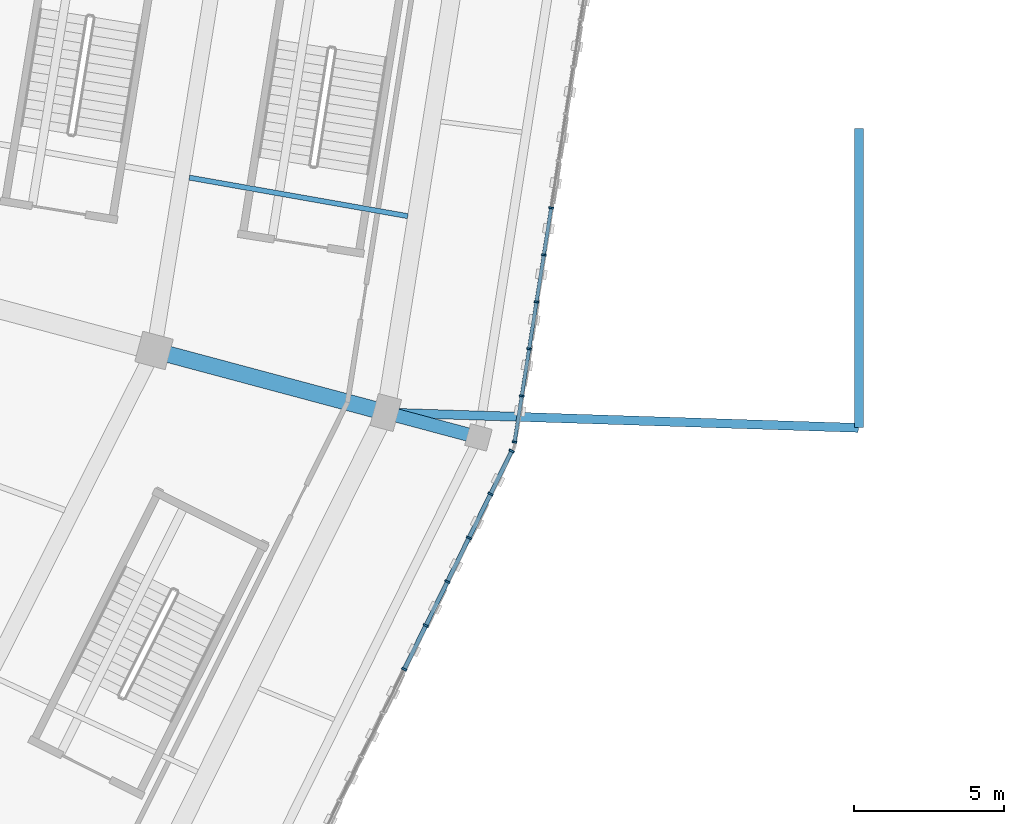
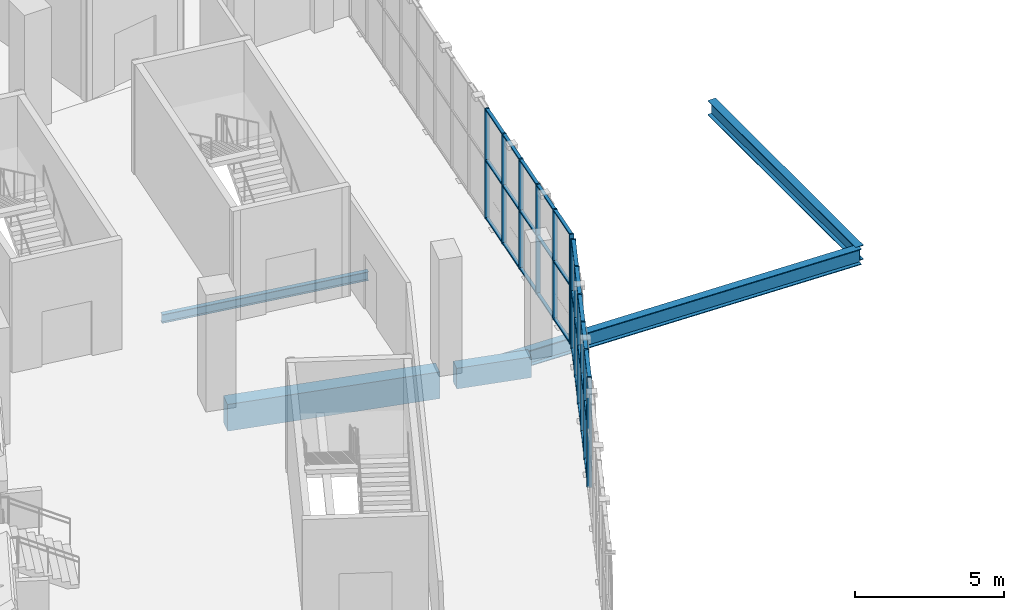
# One storey, part 39 of 183: 42 members, 5 beams, 2 elements without a shape of their own.
"""IFC4 building model written with IfcOpenShell, lengths in metres."""

import ifcopenshell
import ifcopenshell.guid

model = None  # the IFC model being written
_history = None  # IfcOwnerHistory: only IFC2X3 demands one
_inside = {}  # id of a spatial element -> (the spatial element, [elements in it])
_under = {}  # id of a project, library or spatial element -> (it, [spatial elements below it])
_declared = {}  # id of a project -> (the project, [libraries it declares])
_typed = {}  # id of a type object -> (the type object, [elements of that type])
_made_of = {}  # id of a material, layer set ... -> (it, [elements and type objects made of it])


def new_model(schema):
    """Start an empty IFC model of exactly this schema.

    Asked for "IFC4X3", IfcOpenShell would pick the latest addendum, in which some entities
    have other attributes; the version numbers below select the first issue.
    IFC2X3 requires an IfcOwnerHistory on every rooted entity: one is made here for all.
    """
    global model, _history
    if schema == "IFC4X3":
        model = ifcopenshell.file(schema_version=(4, 3, 0, 0))
    else:
        model = ifcopenshell.file(schema=schema)
    _inside.clear()
    _under.clear()
    _declared.clear()
    _typed.clear()
    _made_of.clear()
    _history = None
    if model.schema == "IFC2X3":
        org = make("IfcOrganization", Name="unknown")
        user = make(
            "IfcPersonAndOrganization",
            ThePerson=make("IfcPerson", FamilyName="unknown"),
            TheOrganization=org,
        )
        app = make(
            "IfcApplication",
            ApplicationDeveloper=org,
            Version="unknown",
            ApplicationFullName="unknown",
            ApplicationIdentifier="unknown",
        )
        _history = make(
            "IfcOwnerHistory",
            OwningUser=user,
            OwningApplication=app,
            ChangeAction="ADDED",
            CreationDate=0,
        )
    return model


def make(cls, **values):
    """One entity of the class cls with the attributes given. An attribute that is None is left unset."""
    return model.create_entity(
        cls, **{name: value for name, value in values.items() if value is not None}
    )


def rooted(cls, **values):
    """An entity with a GlobalId (a new one), such as an element, a storey or a relation."""
    return make(cls, GlobalId=ifcopenshell.guid.new(), OwnerHistory=_history, **values)


def si_unit(unit_type, name, prefix=None):
    """IfcSIUnit, for example si_unit("LENGTHUNIT", "METRE", prefix="MILLI")."""
    return make("IfcSIUnit", UnitType=unit_type, Prefix=prefix, Name=name)


def assignment(units):
    """IfcUnitAssignment: the units of a project."""
    return None if units is None else make("IfcUnitAssignment", Units=units)


def point(xyz):
    """IfcCartesianPoint."""
    return None if xyz is None else make("IfcCartesianPoint", Coordinates=xyz)


def direction(xyz):
    """IfcDirection."""
    return None if xyz is None else make("IfcDirection", DirectionRatios=xyz)


def frame(location, z_axis=None, x_axis=None):
    """IfcAxis2Placement3D, a coordinate frame: its origin and axes. An axis left out is left unset."""
    return make(
        "IfcAxis2Placement3D",
        Location=point(location),
        Axis=direction(z_axis),
        RefDirection=direction(x_axis),
    )


def frame_2d(location, x_axis=None):
    """IfcAxis2Placement2D, a coordinate frame in the plane: its origin and x axis."""
    return make(
        "IfcAxis2Placement2D", Location=point(location), RefDirection=direction(x_axis)
    )


def origin():
    """The frame at (0, 0, 0) with its axes left unset."""
    return frame((0.0, 0.0, 0.0))


def origin_2d():
    """The frame at (0, 0) in the plane with its x axis left unset."""
    return frame_2d((0.0, 0.0))


def place(relative_to, where):
    """IfcLocalPlacement: puts the frame where relative to a parent placement (None: the world)."""
    return make(
        "IfcLocalPlacement", PlacementRelTo=relative_to, RelativePlacement=where
    )


def context(
    kind, dimensions, precision=None, world=None, true_north=None, identifier=None
):
    """IfcGeometricRepresentationContext, for example the 3D "Model" context."""
    return make(
        "IfcGeometricRepresentationContext",
        ContextIdentifier=identifier,
        ContextType=kind,
        CoordinateSpaceDimension=dimensions,
        Precision=precision,
        WorldCoordinateSystem=world,
        TrueNorth=true_north,
    )


def subcontext(parent, identifier, kind, view, scale=None):
    """IfcGeometricRepresentationSubContext, for example "Body" below "Model"."""
    return make(
        "IfcGeometricRepresentationSubContext",
        ContextIdentifier=identifier,
        ContextType=kind,
        ParentContext=parent,
        TargetScale=scale,
        TargetView=view,
    )


def project(units=None, contexts=None):
    """IfcProject with its units and contexts."""
    return rooted(
        "IfcProject",
        Name="project",
        RepresentationContexts=contexts,
        UnitsInContext=assignment(units),
    )


def spatial(cls, under=None, at=None, **own):
    """A site, building, storey or space (cls), placed at a placement, below another one or the project."""
    s = rooted(cls, ObjectPlacement=at, **own)
    if under is not None:
        _under.setdefault(under.id(), (under, []))[1].append(s)
    return s


def profile(cls, at=None, kind="AREA", **sizes):
    """A parametric profile (cls). Its sizes go by their IFC names, for example OverallWidth=200.0."""
    return make(cls, ProfileType=kind, Position=at, **sizes)


def rectangle(**sizes):
    """IfcRectangleProfileDef."""
    return profile("IfcRectangleProfileDef", **sizes)


def i_section(**sizes):
    """IfcIShapeProfileDef."""
    return profile("IfcIShapeProfileDef", **sizes)


def extrude(swept, where, along, depth):
    """IfcExtrudedAreaSolid: the profile swept, set in the frame where, extruded along a direction by depth."""
    return make(
        "IfcExtrudedAreaSolid",
        SweptArea=swept,
        Position=where,
        ExtrudedDirection=direction(along),
        Depth=depth,
    )


def shape(context_of_items, identifier, shape_type, items):
    """IfcShapeRepresentation: the items that make up one representation, for example the "Body"."""
    return make(
        "IfcShapeRepresentation",
        ContextOfItems=context_of_items,
        RepresentationIdentifier=identifier,
        RepresentationType=shape_type,
        Items=items,
    )


def material(Name=None, Category=None):
    """IfcMaterial."""
    return make("IfcMaterial", Name=Name, Category=Category)


def material_profile(
    of_material, cross_section, Name=None, Category=None, Priority=None
):
    """IfcMaterialProfile: a cross section and its material."""
    return make(
        "IfcMaterialProfile",
        Name=Name,
        Material=of_material,
        Profile=cross_section,
        Priority=Priority,
        Category=Category,
    )


def profile_set(profiles, Name=None, composite=None):
    """IfcMaterialProfileSet."""
    return make(
        "IfcMaterialProfileSet",
        Name=Name,
        MaterialProfiles=profiles,
        CompositeProfile=composite,
    )


def made_of(thing, what):
    """Note that an element or type object is made of a material, layer set ...; save() writes the relation."""
    if what is not None:
        _made_of.setdefault(what.id(), (what, []))[1].append(thing)
    return thing


def type_object(cls, material=None, **own):
    """A type object (cls), such as IfcWallType, which elements share."""
    return made_of(rooted(cls, **own), material)


def element(
    cls,
    number,
    at=None,
    inside=None,
    cuts=None,
    type_object=None,
    material=None,
    context=None,
    identifier="Body",
    shape_type=None,
    held_by="IfcProductDefinitionShape",
    body=None,
    shapes=None,
    **own,
):
    """One element of the class cls, such as IfcWall. Its Tag is "e" and its number.

    at: its placement. inside: the storey or other place that contains it. cuts: it is an
    opening in that element (IfcRelVoidsElement). A single representation is given by context,
    identifier, shape_type and body (its items); several are given by shapes. held_by: the class
    of the entity that holds the representations. save() writes the other relations.
    """
    e = rooted(cls, Tag="e%d" % number, ObjectPlacement=at, **own)
    if body is not None:
        shapes = [shape(context, identifier, shape_type, body)]
    if shapes is not None:
        e.Representation = make(held_by, Representations=shapes)
    if inside is not None:
        _inside.setdefault(inside.id(), (inside, []))[1].append(e)
    if cuts is not None:
        rooted(
            "IfcRelVoidsElement", RelatingBuildingElement=cuts, RelatedOpeningElement=e
        )
    if type_object is not None:
        _typed.setdefault(type_object.id(), (type_object, []))[1].append(e)
    return made_of(e, material)


def aggregate(whole, parts):
    """IfcRelAggregates: a whole, such as a stair, and the parts it consists of."""
    return rooted("IfcRelAggregates", RelatingObject=whole, RelatedObjects=parts)


def save(model, path):
    """Write the relations noted so far, then the file.

    IfcRelAggregates (storeys below a building ...), IfcRelContainedInSpatialStructure (elements
    in a storey), IfcRelDefinesByType, IfcRelAssociatesMaterial and IfcRelDeclares: one each for
    every whole, place, type object, material and project.
    """
    for whole, parts in _under.values():
        aggregate(whole, parts)
    for where, things in _inside.values():
        rooted(
            "IfcRelContainedInSpatialStructure",
            RelatedElements=things,
            RelatingStructure=where,
        )
    for kind, things in _typed.values():
        rooted("IfcRelDefinesByType", RelatedObjects=things, RelatingType=kind)
    for what, things in _made_of.values():
        rooted("IfcRelAssociatesMaterial", RelatedObjects=things, RelatingMaterial=what)
    for by, libraries in _declared.values():
        rooted("IfcRelDeclares", RelatingContext=by, RelatedDefinitions=libraries)
    model.write(path)


model = new_model("IFC4")

# Units and contexts
model_context = context("Model", 3, precision=1e-05, world=origin(), true_north=direction((0.0, 1.0)))
body_context = subcontext(model_context, "Body", "Model", "MODEL_VIEW")
ifc_project = project(units=[si_unit("LENGTHUNIT", "METRE"), si_unit("AREAUNIT", "SQUARE_METRE"), si_unit("VOLUMEUNIT", "CUBIC_METRE"), si_unit("PLANEANGLEUNIT", "RADIAN"), si_unit("MASSUNIT", "GRAM", prefix="KILO")], contexts=[model_context])

# Site, building, storey
site_placement = place(None, origin())
site = spatial("IfcSite", under=ifc_project, at=site_placement, CompositionType="ELEMENT")
building_placement = place(site_placement, origin())
building = spatial("IfcBuilding", under=site, at=building_placement, Name="Zevraka Park Crest Stadium", CompositionType="ELEMENT")
storey_placement = place(building_placement, frame((0.0, 0.0, 5.39990234375)))
storey = spatial("IfcBuildingStorey", under=building, at=storey_placement, Name="L01", CompositionType="ELEMENT", Elevation=5.39990234375)

# Beams
ifc_material_1 = material(Name="Concrete C40/50", Category="concrete")
ifc_material_profile_1 = material_profile(ifc_material_1, rectangle(XDim=0.550048828125, YDim=1.10009765625, at=origin_2d()), Name="RC 1100x550")
ifc_profile_set_1 = profile_set([ifc_material_profile_1], Name="Concrete C40/50")
beam_type_1 = type_object("IfcBeamType", Name="BG02", PredefinedType="BEAM", material=ifc_profile_set_1)
beam_1_placement = place(storey_placement, frame((191.785888671875, 74.5029296875, -0.559814453125), z_axis=(0.965968812251, -0.258658565986, 0.0), x_axis=(0.258658565986, 0.965968812251, 0.0)))
element("IfcBeam", 1, at=beam_1_placement, inside=storey, type_object=beam_type_1, Name="Radial Girder BG02 L01-CD-23", PredefinedType="BEAM", context=body_context, shape_type="SweptSolid", body=[
    extrude(rectangle(XDim=0.550048828125, YDim=1.10009765625, at=origin_2d()), origin(), (0.0, 0.0, 1.0), 7.39892578125),
])
ifc_material_2 = material(Name="Concrete C40/50", Category="concrete")
ifc_material_profile_2 = material_profile(ifc_material_2, rectangle(XDim=0.449951171875, YDim=0.85009765625, at=origin_2d()), Name="RC 850x450")
ifc_profile_set_2 = profile_set([ifc_material_profile_2], Name="Concrete C40/50")
beam_type_2 = type_object("IfcBeamType", Name="BG03", PredefinedType="BEAM", material=ifc_profile_set_2)
beam_2_placement = place(storey_placement, frame((199.512939453125, 72.43310546875, -0.434814453125), z_axis=(0.965992888406, -0.258568636051, 0.0), x_axis=(0.258568636051, 0.965992888406, 0.0)))
element("IfcBeam", 2, at=beam_2_placement, inside=storey, type_object=beam_type_2, Name="Radial Girder BG03 L01-DE-23", PredefinedType="BEAM", context=body_context, shape_type="SweptSolid", body=[
    extrude(rectangle(XDim=0.449951171875, YDim=0.85009765625, at=origin_2d()), origin(), (0.0, 0.0, 1.0), 2.599365234375),
])
ifc_material_3 = material(Name="Steel S355", Category="steel")
ifc_material_profile_3 = material_profile(ifc_material_3, i_section(OverallWidth=0.300048828125, OverallDepth=0.64990234375, WebThickness=0.01611328125, FlangeThickness=0.031005859375, at=origin_2d()), Name="HEB 650")
ifc_profile_set_3 = profile_set([ifc_material_profile_3], Name="Steel S355")
beam_type_3 = type_object("IfcBeamType", Name="BG07", PredefinedType="BEAM", material=ifc_profile_set_3)
beam_3_placement = place(storey_placement, frame((214.97998046875, 72.0009765625, -0.635009765625), z_axis=(-0.99947724389, 0.032330155354, 0.0), x_axis=(-0.032330155354, -0.99947724389, 0.0)))
element("IfcBeam", 3, at=beam_3_placement, inside=storey, type_object=beam_type_3, Name="Arcade Tie Beam BG07 PADE", PredefinedType="BEAM", context=body_context, shape_type="SweptSolid", body=[
    extrude(i_section(OverallWidth=0.300048828125, OverallDepth=0.64990234375, WebThickness=0.01611328125, FlangeThickness=0.031005859375, at=origin_2d()), origin(), (0.0, 0.0, 1.0), 15.405029296875),
])

# Curtain wall, members
ifc_material_4 = material(Name="Anodised architectural aluminium and laminated safety glass", Category="aluminium")
curtain_wall_type_1 = type_object("IfcCurtainWallType", Name="CW01", PredefinedType="NOTDEFINED", material=ifc_material_4)
curtain_wall_1_placement = place(storey_placement, origin())
curtain_wall_1 = element("IfcCurtainWall", 4, at=curtain_wall_1_placement, inside=storey, type_object=curtain_wall_type_1, Name="Unitised Ring Curtain Wall CW01 L01-23", PredefinedType="NOTDEFINED")
ifc_material_5 = material(Name="Anodised architectural aluminium", Category="aluminium")
ifc_material_profile_4 = material_profile(ifc_material_5, rectangle(XDim=0.159912109375, YDim=0.06005859375, at=origin_2d()), Name="ALU MULLION 160x60")
ifc_profile_set_4 = profile_set([ifc_material_profile_4], Name="Anodised architectural aluminium")
member_type_1 = type_object("IfcMemberType", Name="CM01", PredefinedType="MULLION", material=ifc_profile_set_4)
member_1_placement = place(storey_placement, frame((203.517578125, 71.526611328125, 0.0), z_axis=(0.0, 0.0, 1.0), x_axis=(-0.987996544735, 0.154475977394, 0.0)))
member_1 = element("IfcMember", 5, at=member_1_placement, type_object=member_type_1, Name="CW01 mullion 1", PredefinedType="MULLION", context=body_context, shape_type="SweptSolid", body=[
    extrude(rectangle(XDim=0.159912109375, YDim=0.06005859375, at=origin_2d()), origin(), (0.0, 0.0, 1.0), 4.52001953125),
])
member_2_placement = place(storey_placement, frame((203.758056640625, 73.064453125, 0.0), z_axis=(0.0, 0.0, 1.0), x_axis=(-0.987996544735, 0.154475977394, 0.0)))
member_2 = element("IfcMember", 6, at=member_2_placement, type_object=member_type_1, Name="CW01 mullion 2", PredefinedType="MULLION", context=body_context, shape_type="SweptSolid", body=[
    extrude(rectangle(XDim=0.159912109375, YDim=0.06005859375, at=origin_2d()), origin(), (0.0, 0.0, 1.0), 4.52001953125),
])
member_3_placement = place(storey_placement, frame((204.003173828125, 74.6318359375, 0.0), z_axis=(0.0, 0.0, 1.0), x_axis=(-0.987996544735, 0.154475977394, 0.0)))
member_3 = element("IfcMember", 7, at=member_3_placement, type_object=member_type_1, Name="CW01 mullion 3", PredefinedType="MULLION", context=body_context, shape_type="SweptSolid", body=[
    extrude(rectangle(XDim=0.159912109375, YDim=0.06005859375, at=origin_2d()), origin(), (0.0, 0.0, 1.0), 4.52001953125),
])
member_4_placement = place(storey_placement, frame((204.248291015625, 76.199462890625, 0.0), z_axis=(0.0, 0.0, 1.0), x_axis=(-0.987996544735, 0.154475977394, 0.0)))
member_4 = element("IfcMember", 8, at=member_4_placement, type_object=member_type_1, Name="CW01 mullion 4", PredefinedType="MULLION", context=body_context, shape_type="SweptSolid", body=[
    extrude(rectangle(XDim=0.159912109375, YDim=0.06005859375, at=origin_2d()), origin(), (0.0, 0.0, 1.0), 4.52001953125),
])
member_5_placement = place(storey_placement, frame((204.493408203125, 77.766845703125, 0.0), z_axis=(0.0, 0.0, 1.0), x_axis=(-0.987996544735, 0.154475977394, 0.0)))
member_5 = element("IfcMember", 9, at=member_5_placement, type_object=member_type_1, Name="CW01 mullion 5", PredefinedType="MULLION", context=body_context, shape_type="SweptSolid", body=[
    extrude(rectangle(XDim=0.159912109375, YDim=0.06005859375, at=origin_2d()), origin(), (0.0, 0.0, 1.0), 4.52001953125),
])
member_6_placement = place(storey_placement, frame((204.73828125, 79.334228515625, 0.0), z_axis=(0.0, 0.0, 1.0), x_axis=(-0.987996544735, 0.154475977394, 0.0)))
member_6 = element("IfcMember", 10, at=member_6_placement, type_object=member_type_1, Name="CW01 mullion 6", PredefinedType="MULLION", context=body_context, shape_type="SweptSolid", body=[
    extrude(rectangle(XDim=0.159912109375, YDim=0.06005859375, at=origin_2d()), origin(), (0.0, 0.0, 1.0), 4.52001953125),
])

ifc_material_6 = material(Name="Anodised architectural aluminium and laminated safety glass", Category="aluminium")
curtain_wall_type_2 = type_object("IfcCurtainWallType", Name="CW02", PredefinedType="NOTDEFINED", material=ifc_material_6)
curtain_wall_2_placement = place(storey_placement, origin())
curtain_wall_2 = element("IfcCurtainWall", 11, at=curtain_wall_2_placement, inside=storey, type_object=curtain_wall_type_2, Name="Unitised Ring Curtain Wall CW02 L01-22", PredefinedType="NOTDEFINED")
ifc_material_7 = material(Name="Anodised architectural aluminium", Category="aluminium")
ifc_material_profile_5 = material_profile(ifc_material_7, rectangle(XDim=0.179931640625, YDim=0.06494140625, at=origin_2d()), Name="ALU MULLION 180x65")
ifc_profile_set_5 = profile_set([ifc_material_profile_5], Name="Anodised architectural aluminium")
member_type_2 = type_object("IfcMemberType", Name="CM02", PredefinedType="MULLION", material=ifc_profile_set_5)
member_7_placement = place(storey_placement, frame((199.841064453125, 63.9501953125, 0.0), z_axis=(0.0, 0.0, 1.0), x_axis=(-0.897252732312, 0.44151730924, 0.0)))
member_7 = element("IfcMember", 12, at=member_7_placement, type_object=member_type_2, Name="CW02 mullion 9", PredefinedType="MULLION", context=body_context, shape_type="SweptSolid", body=[
    extrude(rectangle(XDim=0.179931640625, YDim=0.06494140625, at=origin_2d()), origin(), (0.0, 0.0, 1.0), 4.52001953125),
])
member_8_placement = place(storey_placement, frame((200.56005859375, 65.411376953125, 0.0), z_axis=(0.0, 0.0, 1.0), x_axis=(-0.897252732312, 0.44151730924, 0.0)))
member_8 = element("IfcMember", 13, at=member_8_placement, type_object=member_type_2, Name="CW02 mullion 10", PredefinedType="MULLION", context=body_context, shape_type="SweptSolid", body=[
    extrude(rectangle(XDim=0.179931640625, YDim=0.06494140625, at=origin_2d()), origin(), (0.0, 0.0, 1.0), 4.52001953125),
])
member_9_placement = place(storey_placement, frame((201.279052734375, 66.87255859375, 0.0), z_axis=(0.0, 0.0, 1.0), x_axis=(-0.897252732312, 0.44151730924, 0.0)))
member_9 = element("IfcMember", 14, at=member_9_placement, type_object=member_type_2, Name="CW02 mullion 11", PredefinedType="MULLION", context=body_context, shape_type="SweptSolid", body=[
    extrude(rectangle(XDim=0.179931640625, YDim=0.06494140625, at=origin_2d()), origin(), (0.0, 0.0, 1.0), 4.52001953125),
])
member_10_placement = place(storey_placement, frame((201.998046875, 68.333740234375, 0.0), z_axis=(0.0, 0.0, 1.0), x_axis=(-0.897252732312, 0.44151730924, 0.0)))
member_10 = element("IfcMember", 15, at=member_10_placement, type_object=member_type_2, Name="CW02 mullion 12", PredefinedType="MULLION", context=body_context, shape_type="SweptSolid", body=[
    extrude(rectangle(XDim=0.179931640625, YDim=0.06494140625, at=origin_2d()), origin(), (0.0, 0.0, 1.0), 4.52001953125),
])
member_11_placement = place(storey_placement, frame((202.717041015625, 69.794921875, 0.0), z_axis=(0.0, 0.0, 1.0), x_axis=(-0.897252732312, 0.44151730924, 0.0)))
member_11 = element("IfcMember", 16, at=member_11_placement, type_object=member_type_2, Name="CW02 mullion 13", PredefinedType="MULLION", context=body_context, shape_type="SweptSolid", body=[
    extrude(rectangle(XDim=0.179931640625, YDim=0.06494140625, at=origin_2d()), origin(), (0.0, 0.0, 1.0), 4.52001953125),
])
member_12_placement = place(storey_placement, frame((203.421630859375, 71.226806640625, 0.0), z_axis=(0.0, 0.0, 1.0), x_axis=(-0.897252732312, 0.44151730924, 0.0)))
member_12 = element("IfcMember", 17, at=member_12_placement, type_object=member_type_2, Name="CW02 mullion 14", PredefinedType="MULLION", context=body_context, shape_type="SweptSolid", body=[
    extrude(rectangle(XDim=0.179931640625, YDim=0.06494140625, at=origin_2d()), origin(), (0.0, 0.0, 1.0), 4.52001953125),
])

# Member
ifc_material_8 = material(Name="Anodised architectural aluminium", Category="aluminium")
ifc_material_profile_6 = material_profile(ifc_material_8, rectangle(XDim=0.1201171875, YDim=0.06005859375, at=origin_2d()), Name="ALU TRANSOM 120x60")
ifc_profile_set_6 = profile_set([ifc_material_profile_6], Name="Anodised architectural aluminium")
member_type_3 = type_object("IfcMemberType", Name="CT01", PredefinedType="USERDEFINED", material=ifc_profile_set_6)
member_13_placement = place(storey_placement, frame((203.522216796875, 71.556396484375, 0.030029296875), z_axis=(0.154496320273, 0.987993363855, 0.0), x_axis=(-0.987993363855, 0.154496320273, 0.0)))
member_13 = element("IfcMember", 18, at=member_13_placement, type_object=member_type_3, Name="CW01 transom 1.1", ObjectType="TRANSOM", PredefinedType="USERDEFINED", context=body_context, shape_type="SweptSolid", body=[
    extrude(rectangle(XDim=0.1201171875, YDim=0.06005859375, at=origin_2d()), origin(), (0.0, 0.0, 1.0), 1.49658203125),
])

member_14_placement = place(storey_placement, frame((203.522216796875, 71.556396484375, 2.400146484375), z_axis=(0.154496320273, 0.987993363855, 0.0), x_axis=(-0.987993363855, 0.154496320273, 0.0)))
member_14 = element("IfcMember", 19, at=member_14_placement, type_object=member_type_3, Name="CW01 transom 1.2", ObjectType="TRANSOM", PredefinedType="USERDEFINED", context=body_context, shape_type="SweptSolid", body=[
    extrude(rectangle(XDim=0.1201171875, YDim=0.06005859375, at=origin_2d()), origin(), (0.0, 0.0, 1.0), 1.49658203125),
])

member_15_placement = place(storey_placement, frame((203.522216796875, 71.556396484375, 4.489990234375), z_axis=(0.154496320273, 0.987993363855, 0.0), x_axis=(-0.987993363855, 0.154496320273, 0.0)))
member_15 = element("IfcMember", 20, at=member_15_placement, type_object=member_type_3, Name="CW01 transom 1.3", ObjectType="TRANSOM", PredefinedType="USERDEFINED", context=body_context, shape_type="SweptSolid", body=[
    extrude(rectangle(XDim=0.1201171875, YDim=0.06005859375, at=origin_2d()), origin(), (0.0, 0.0, 1.0), 1.49658203125),
])

member_16_placement = place(storey_placement, frame((203.7626953125, 73.093994140625, 0.030029296875), z_axis=(0.154484205161, 0.987995258266, 0.0), x_axis=(-0.987995258266, 0.154484205161, 0.0)))
member_16 = element("IfcMember", 21, at=member_16_placement, type_object=member_type_3, Name="CW01 transom 2.1", ObjectType="TRANSOM", PredefinedType="USERDEFINED", context=body_context, shape_type="SweptSolid", body=[
    extrude(rectangle(XDim=0.1201171875, YDim=0.06005859375, at=origin_2d()), origin(), (0.0, 0.0, 1.0), 1.526611328125),
])

member_17_placement = place(storey_placement, frame((203.7626953125, 73.093994140625, 2.400146484375), z_axis=(0.154484205161, 0.987995258266, 0.0), x_axis=(-0.987995258266, 0.154484205161, 0.0)))
member_17 = element("IfcMember", 22, at=member_17_placement, type_object=member_type_3, Name="CW01 transom 2.2", ObjectType="TRANSOM", PredefinedType="USERDEFINED", context=body_context, shape_type="SweptSolid", body=[
    extrude(rectangle(XDim=0.1201171875, YDim=0.06005859375, at=origin_2d()), origin(), (0.0, 0.0, 1.0), 1.526611328125),
])

member_18_placement = place(storey_placement, frame((203.7626953125, 73.093994140625, 4.489990234375), z_axis=(0.154484205161, 0.987995258266, 0.0), x_axis=(-0.987995258266, 0.154484205161, 0.0)))
member_18 = element("IfcMember", 23, at=member_18_placement, type_object=member_type_3, Name="CW01 transom 2.3", ObjectType="TRANSOM", PredefinedType="USERDEFINED", context=body_context, shape_type="SweptSolid", body=[
    extrude(rectangle(XDim=0.1201171875, YDim=0.06005859375, at=origin_2d()), origin(), (0.0, 0.0, 1.0), 1.526611328125),
])

member_19_placement = place(storey_placement, frame((204.0078125, 74.66162109375, 0.030029296875), z_axis=(0.154508617741, 0.987991440774, 0.0), x_axis=(-0.987991440774, 0.154508617741, 0.0)))
member_19 = element("IfcMember", 24, at=member_19_placement, type_object=member_type_3, Name="CW01 transom 3.1", ObjectType="TRANSOM", PredefinedType="USERDEFINED", context=body_context, shape_type="SweptSolid", body=[
    extrude(rectangle(XDim=0.1201171875, YDim=0.06005859375, at=origin_2d()), origin(), (0.0, 0.0, 1.0), 1.5263671875),
])

member_20_placement = place(storey_placement, frame((204.0078125, 74.66162109375, 2.400146484375), z_axis=(0.154508617741, 0.987991440774, 0.0), x_axis=(-0.987991440774, 0.154508617741, 0.0)))
member_20 = element("IfcMember", 25, at=member_20_placement, type_object=member_type_3, Name="CW01 transom 3.2", ObjectType="TRANSOM", PredefinedType="USERDEFINED", context=body_context, shape_type="SweptSolid", body=[
    extrude(rectangle(XDim=0.1201171875, YDim=0.06005859375, at=origin_2d()), origin(), (0.0, 0.0, 1.0), 1.5263671875),
])

member_21_placement = place(storey_placement, frame((204.0078125, 74.66162109375, 4.489990234375), z_axis=(0.154508617741, 0.987991440774, 0.0), x_axis=(-0.987991440774, 0.154508617741, 0.0)))
member_21 = element("IfcMember", 26, at=member_21_placement, type_object=member_type_3, Name="CW01 transom 3.3", ObjectType="TRANSOM", PredefinedType="USERDEFINED", context=body_context, shape_type="SweptSolid", body=[
    extrude(rectangle(XDim=0.1201171875, YDim=0.06005859375, at=origin_2d()), origin(), (0.0, 0.0, 1.0), 1.5263671875),
])

member_22_placement = place(storey_placement, frame((204.2529296875, 76.22900390625, 0.030029296875), z_axis=(0.154484205161, 0.987995258266, 0.0), x_axis=(-0.987995258266, 0.154484205161, 0.0)))
member_22 = element("IfcMember", 27, at=member_22_placement, type_object=member_type_3, Name="CW01 transom 4.1", ObjectType="TRANSOM", PredefinedType="USERDEFINED", context=body_context, shape_type="SweptSolid", body=[
    extrude(rectangle(XDim=0.1201171875, YDim=0.06005859375, at=origin_2d()), origin(), (0.0, 0.0, 1.0), 1.526611328125),
])

member_23_placement = place(storey_placement, frame((204.2529296875, 76.22900390625, 2.400146484375), z_axis=(0.154484205161, 0.987995258266, 0.0), x_axis=(-0.987995258266, 0.154484205161, 0.0)))
member_23 = element("IfcMember", 28, at=member_23_placement, type_object=member_type_3, Name="CW01 transom 4.2", ObjectType="TRANSOM", PredefinedType="USERDEFINED", context=body_context, shape_type="SweptSolid", body=[
    extrude(rectangle(XDim=0.1201171875, YDim=0.06005859375, at=origin_2d()), origin(), (0.0, 0.0, 1.0), 1.526611328125),
])

member_24_placement = place(storey_placement, frame((204.2529296875, 76.22900390625, 4.489990234375), z_axis=(0.154484205161, 0.987995258266, 0.0), x_axis=(-0.987995258266, 0.154484205161, 0.0)))
member_24 = element("IfcMember", 29, at=member_24_placement, type_object=member_type_3, Name="CW01 transom 4.3", ObjectType="TRANSOM", PredefinedType="USERDEFINED", context=body_context, shape_type="SweptSolid", body=[
    extrude(rectangle(XDim=0.1201171875, YDim=0.06005859375, at=origin_2d()), origin(), (0.0, 0.0, 1.0), 1.526611328125),
])

member_25_placement = place(storey_placement, frame((204.498046875, 77.79638671875, 0.030029296875), z_axis=(0.154328094427, 0.988019655306, 0.0), x_axis=(-0.988019655306, 0.154328094427, 0.0)))
member_25 = element("IfcMember", 30, at=member_25_placement, type_object=member_type_3, Name="CW01 transom 5.1", ObjectType="TRANSOM", PredefinedType="USERDEFINED", context=body_context, shape_type="SweptSolid", body=[
    extrude(rectangle(XDim=0.1201171875, YDim=0.06005859375, at=origin_2d()), origin(), (0.0, 0.0, 1.0), 1.526611328125),
])

member_26_placement = place(storey_placement, frame((204.498046875, 77.79638671875, 2.400146484375), z_axis=(0.154328094427, 0.988019655306, 0.0), x_axis=(-0.988019655306, 0.154328094427, 0.0)))
member_26 = element("IfcMember", 31, at=member_26_placement, type_object=member_type_3, Name="CW01 transom 5.2", ObjectType="TRANSOM", PredefinedType="USERDEFINED", context=body_context, shape_type="SweptSolid", body=[
    extrude(rectangle(XDim=0.1201171875, YDim=0.06005859375, at=origin_2d()), origin(), (0.0, 0.0, 1.0), 1.526611328125),
])

member_27_placement = place(storey_placement, frame((204.498046875, 77.79638671875, 4.489990234375), z_axis=(0.154328094427, 0.988019655306, 0.0), x_axis=(-0.988019655306, 0.154328094427, 0.0)))
member_27 = element("IfcMember", 32, at=member_27_placement, type_object=member_type_3, Name="CW01 transom 5.3", ObjectType="TRANSOM", PredefinedType="USERDEFINED", context=body_context, shape_type="SweptSolid", body=[
    extrude(rectangle(XDim=0.1201171875, YDim=0.06005859375, at=origin_2d()), origin(), (0.0, 0.0, 1.0), 1.526611328125),
])

aggregate(curtain_wall_1, [member_1, member_2, member_3, member_4, member_5, member_6, member_13, member_14, member_15, member_16, member_17, member_18, member_19, member_20, member_21, member_22, member_23, member_24, member_25, member_26, member_27])

ifc_material_9 = material(Name="Anodised architectural aluminium", Category="aluminium")
ifc_material_profile_7 = material_profile(ifc_material_9, rectangle(XDim=0.139892578125, YDim=0.06494140625, at=origin_2d()), Name="ALU TRANSOM 140x65")
ifc_profile_set_7 = profile_set([ifc_material_profile_7], Name="Anodised architectural aluminium")
member_type_4 = type_object("IfcMemberType", Name="CT02", PredefinedType="USERDEFINED", material=ifc_profile_set_7)
member_28_placement = place(storey_placement, frame((199.85546875, 63.9794921875, 0.03271484375), z_axis=(0.441457762434, 0.897282031463, 0.0), x_axis=(-0.897282031463, 0.441457762434, 0.0)))
member_28 = element("IfcMember", 33, at=member_28_placement, type_object=member_type_4, Name="CW02 transom 9.1", ObjectType="TRANSOM", PredefinedType="USERDEFINED", context=body_context, shape_type="SweptSolid", body=[
    extrude(rectangle(XDim=0.139892578125, YDim=0.06494140625, at=origin_2d()), origin(), (0.0, 0.0, 1.0), 1.5634765625),
])

member_29_placement = place(storey_placement, frame((199.85546875, 63.9794921875, 2.400146484375), z_axis=(0.441457762434, 0.897282031463, 0.0), x_axis=(-0.897282031463, 0.441457762434, 0.0)))
member_29 = element("IfcMember", 34, at=member_29_placement, type_object=member_type_4, Name="CW02 transom 9.2", ObjectType="TRANSOM", PredefinedType="USERDEFINED", context=body_context, shape_type="SweptSolid", body=[
    extrude(rectangle(XDim=0.139892578125, YDim=0.06494140625, at=origin_2d()), origin(), (0.0, 0.0, 1.0), 1.5634765625),
])

member_30_placement = place(storey_placement, frame((199.85546875, 63.9794921875, 4.487548828125), z_axis=(0.441457762434, 0.897282031463, 0.0), x_axis=(-0.897282031463, 0.441457762434, 0.0)))
member_30 = element("IfcMember", 35, at=member_30_placement, type_object=member_type_4, Name="CW02 transom 9.3", ObjectType="TRANSOM", PredefinedType="USERDEFINED", context=body_context, shape_type="SweptSolid", body=[
    extrude(rectangle(XDim=0.139892578125, YDim=0.06494140625, at=origin_2d()), origin(), (0.0, 0.0, 1.0), 1.5634765625),
])

member_31_placement = place(storey_placement, frame((200.574462890625, 65.4404296875, 0.03271484375), z_axis=(0.441457762434, 0.897282031463, 0.0), x_axis=(-0.897282031463, 0.441457762434, 0.0)))
member_31 = element("IfcMember", 36, at=member_31_placement, type_object=member_type_4, Name="CW02 transom 10.1", ObjectType="TRANSOM", PredefinedType="USERDEFINED", context=body_context, shape_type="SweptSolid", body=[
    extrude(rectangle(XDim=0.139892578125, YDim=0.06494140625, at=origin_2d()), origin(), (0.0, 0.0, 1.0), 1.5634765625),
])

member_32_placement = place(storey_placement, frame((200.574462890625, 65.4404296875, 2.400146484375), z_axis=(0.441457762434, 0.897282031463, 0.0), x_axis=(-0.897282031463, 0.441457762434, 0.0)))
member_32 = element("IfcMember", 37, at=member_32_placement, type_object=member_type_4, Name="CW02 transom 10.2", ObjectType="TRANSOM", PredefinedType="USERDEFINED", context=body_context, shape_type="SweptSolid", body=[
    extrude(rectangle(XDim=0.139892578125, YDim=0.06494140625, at=origin_2d()), origin(), (0.0, 0.0, 1.0), 1.5634765625),
])

member_33_placement = place(storey_placement, frame((200.574462890625, 65.4404296875, 4.487548828125), z_axis=(0.441457762434, 0.897282031463, 0.0), x_axis=(-0.897282031463, 0.441457762434, 0.0)))
member_33 = element("IfcMember", 38, at=member_33_placement, type_object=member_type_4, Name="CW02 transom 10.3", ObjectType="TRANSOM", PredefinedType="USERDEFINED", context=body_context, shape_type="SweptSolid", body=[
    extrude(rectangle(XDim=0.139892578125, YDim=0.06494140625, at=origin_2d()), origin(), (0.0, 0.0, 1.0), 1.5634765625),
])

member_34_placement = place(storey_placement, frame((201.29345703125, 66.901611328125, 0.03271484375), z_axis=(0.441457762434, 0.897282031463, 0.0), x_axis=(-0.897282031463, 0.441457762434, 0.0)))
member_34 = element("IfcMember", 39, at=member_34_placement, type_object=member_type_4, Name="CW02 transom 11.1", ObjectType="TRANSOM", PredefinedType="USERDEFINED", context=body_context, shape_type="SweptSolid", body=[
    extrude(rectangle(XDim=0.139892578125, YDim=0.06494140625, at=origin_2d()), origin(), (0.0, 0.0, 1.0), 1.5634765625),
])

member_35_placement = place(storey_placement, frame((201.29345703125, 66.901611328125, 2.400146484375), z_axis=(0.441457762434, 0.897282031463, 0.0), x_axis=(-0.897282031463, 0.441457762434, 0.0)))
member_35 = element("IfcMember", 40, at=member_35_placement, type_object=member_type_4, Name="CW02 transom 11.2", ObjectType="TRANSOM", PredefinedType="USERDEFINED", context=body_context, shape_type="SweptSolid", body=[
    extrude(rectangle(XDim=0.139892578125, YDim=0.06494140625, at=origin_2d()), origin(), (0.0, 0.0, 1.0), 1.5634765625),
])

member_36_placement = place(storey_placement, frame((201.29345703125, 66.901611328125, 4.487548828125), z_axis=(0.441457762434, 0.897282031463, 0.0), x_axis=(-0.897282031463, 0.441457762434, 0.0)))
member_36 = element("IfcMember", 41, at=member_36_placement, type_object=member_type_4, Name="CW02 transom 11.3", ObjectType="TRANSOM", PredefinedType="USERDEFINED", context=body_context, shape_type="SweptSolid", body=[
    extrude(rectangle(XDim=0.139892578125, YDim=0.06494140625, at=origin_2d()), origin(), (0.0, 0.0, 1.0), 1.5634765625),
])

member_37_placement = place(storey_placement, frame((202.012451171875, 68.36279296875, 0.03271484375), z_axis=(0.441457762434, 0.897282031463, 0.0), x_axis=(-0.897282031463, 0.441457762434, 0.0)))
member_37 = element("IfcMember", 42, at=member_37_placement, type_object=member_type_4, Name="CW02 transom 12.1", ObjectType="TRANSOM", PredefinedType="USERDEFINED", context=body_context, shape_type="SweptSolid", body=[
    extrude(rectangle(XDim=0.139892578125, YDim=0.06494140625, at=origin_2d()), origin(), (0.0, 0.0, 1.0), 1.5634765625),
])

member_38_placement = place(storey_placement, frame((202.012451171875, 68.36279296875, 2.400146484375), z_axis=(0.441457762434, 0.897282031463, 0.0), x_axis=(-0.897282031463, 0.441457762434, 0.0)))
member_38 = element("IfcMember", 43, at=member_38_placement, type_object=member_type_4, Name="CW02 transom 12.2", ObjectType="TRANSOM", PredefinedType="USERDEFINED", context=body_context, shape_type="SweptSolid", body=[
    extrude(rectangle(XDim=0.139892578125, YDim=0.06494140625, at=origin_2d()), origin(), (0.0, 0.0, 1.0), 1.5634765625),
])

member_39_placement = place(storey_placement, frame((202.012451171875, 68.36279296875, 4.487548828125), z_axis=(0.441457762434, 0.897282031463, 0.0), x_axis=(-0.897282031463, 0.441457762434, 0.0)))
member_39 = element("IfcMember", 44, at=member_39_placement, type_object=member_type_4, Name="CW02 transom 12.3", ObjectType="TRANSOM", PredefinedType="USERDEFINED", context=body_context, shape_type="SweptSolid", body=[
    extrude(rectangle(XDim=0.139892578125, YDim=0.06494140625, at=origin_2d()), origin(), (0.0, 0.0, 1.0), 1.5634765625),
])

member_40_placement = place(storey_placement, frame((202.7314453125, 69.823974609375, 0.03271484375), z_axis=(0.441399645127, 0.897310622517, 0.0), x_axis=(-0.897310622517, 0.441399645127, 0.0)))
member_40 = element("IfcMember", 45, at=member_40_placement, type_object=member_type_4, Name="CW02 transom 13.1", ObjectType="TRANSOM", PredefinedType="USERDEFINED", context=body_context, shape_type="SweptSolid", body=[
    extrude(rectangle(XDim=0.139892578125, YDim=0.06494140625, at=origin_2d()), origin(), (0.0, 0.0, 1.0), 1.531005859375),
])

member_41_placement = place(storey_placement, frame((202.7314453125, 69.823974609375, 2.400146484375), z_axis=(0.441399645127, 0.897310622517, 0.0), x_axis=(-0.897310622517, 0.441399645127, 0.0)))
member_41 = element("IfcMember", 46, at=member_41_placement, type_object=member_type_4, Name="CW02 transom 13.2", ObjectType="TRANSOM", PredefinedType="USERDEFINED", context=body_context, shape_type="SweptSolid", body=[
    extrude(rectangle(XDim=0.139892578125, YDim=0.06494140625, at=origin_2d()), origin(), (0.0, 0.0, 1.0), 1.531005859375),
])

member_42_placement = place(storey_placement, frame((202.7314453125, 69.823974609375, 4.487548828125), z_axis=(0.441399645127, 0.897310622517, 0.0), x_axis=(-0.897310622517, 0.441399645127, 0.0)))
member_42 = element("IfcMember", 47, at=member_42_placement, type_object=member_type_4, Name="CW02 transom 13.3", ObjectType="TRANSOM", PredefinedType="USERDEFINED", context=body_context, shape_type="SweptSolid", body=[
    extrude(rectangle(XDim=0.139892578125, YDim=0.06494140625, at=origin_2d()), origin(), (0.0, 0.0, 1.0), 1.531005859375),
])

aggregate(curtain_wall_2, [member_7, member_8, member_9, member_10, member_11, member_12, member_28, member_29, member_30, member_31, member_32, member_33, member_34, member_35, member_36, member_37, member_38, member_39, member_40, member_41, member_42])

# Beams
ifc_material_10 = material(Name="Steel S355", Category="steel")
ifc_material_profile_8 = material_profile(ifc_material_10, i_section(OverallWidth=0.300048828125, OverallDepth=0.60009765625, WebThickness=0.015380859375, FlangeThickness=0.030029296875, at=origin_2d()), Name="HEB 600")
ifc_profile_set_8 = profile_set([ifc_material_profile_8], Name="Steel S355")
beam_type_4 = type_object("IfcBeamType", Name="RB03", PredefinedType="BEAM", material=ifc_profile_set_8)
beam_4_placement = place(storey_placement, frame((215.0, 72.02001953125, -0.60986328125), z_axis=(0.0, 1.0, 0.0), x_axis=(-1.0, 0.0, 0.0)))
element("IfcBeam", 48, at=beam_4_placement, inside=storey, type_object=beam_type_4, Name="Arcade Eave Beam RB03 PADE-1", PredefinedType="BEAM", context=body_context, shape_type="SweptSolid", body=[
    extrude(i_section(OverallWidth=0.300048828125, OverallDepth=0.60009765625, WebThickness=0.015380859375, FlangeThickness=0.030029296875, at=origin_2d()), origin(), (0.0, 0.0, 1.0), 9.9599609375),
])
ifc_material_11 = material(Name="Steel S355", Category="steel")
ifc_material_profile_9 = material_profile(ifc_material_11, i_section(OverallWidth=0.169921875, OverallDepth=0.360107421875, WebThickness=0.008056640625, FlangeThickness=0.0126953125, at=origin_2d()), Name="IPE 360")
ifc_profile_set_9 = profile_set([ifc_material_profile_9], Name="Steel S355")
beam_type_5 = type_object("IfcBeamType", Name="SJ02", PredefinedType="JOIST", material=ifc_profile_set_9)
beam_5_placement = place(storey_placement, frame((192.672119140625, 80.344970703125, -0.48779296875), z_axis=(0.984780236621, -0.17380415864, 0.0), x_axis=(0.17380415864, 0.984780236621, 0.0)))
element("IfcBeam", 49, at=beam_5_placement, inside=storey, type_object=beam_type_5, Name="Floor Joist SJ02 L01-CD-23-1", PredefinedType="JOIST", context=body_context, shape_type="SweptSolid", body=[
    extrude(i_section(OverallWidth=0.169921875, OverallDepth=0.360107421875, WebThickness=0.008056640625, FlangeThickness=0.0126953125, at=origin_2d()), origin(), (0.0, 0.0, 1.0), 7.3984375),
])

save(model, "model.ifc")
